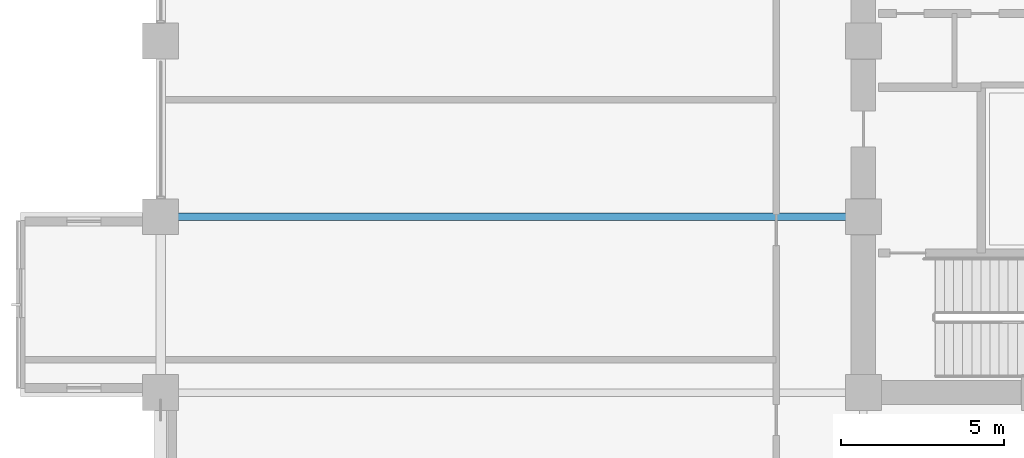
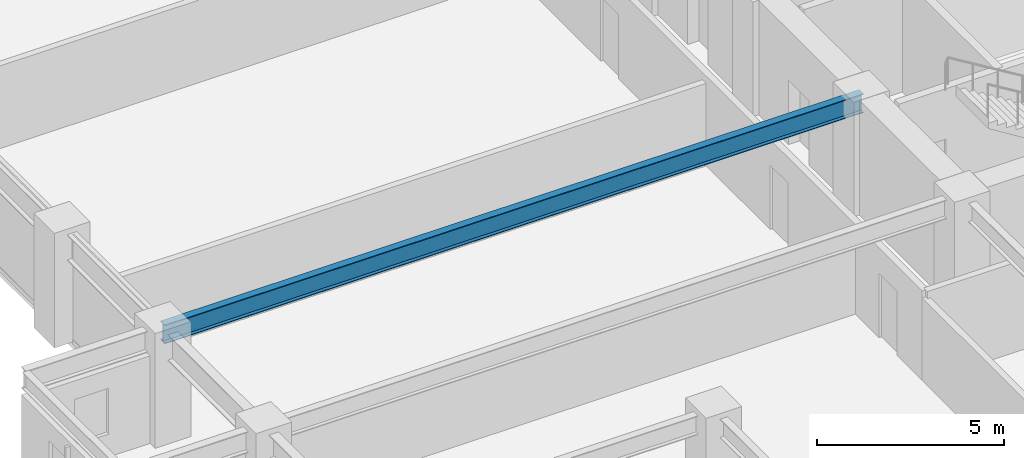
# One storey, part 6 of 29: 1 beam.
"""IFC4 building model written with IfcOpenShell, lengths in metres."""

from ifc_helpers import new_model, si_unit, direction, frame, origin, origin_2d, place, context, subcontext, project, spatial, i_section, extrude, material, material_profile, profile_set, type_object, element, save


model = new_model("IFC4")

# Units and contexts
model_context = context("Model", 3, precision=1e-05, world=origin(), true_north=direction((0.0, 1.0)))
body_context = subcontext(model_context, "Body", "Model", "MODEL_VIEW")
ifc_project = project(units=[si_unit("LENGTHUNIT", "METRE"), si_unit("AREAUNIT", "SQUARE_METRE"), si_unit("VOLUMEUNIT", "CUBIC_METRE"), si_unit("PLANEANGLEUNIT", "RADIAN"), si_unit("MASSUNIT", "GRAM", prefix="KILO")], contexts=[model_context])

# Site, building, storey
site_placement = place(None, origin())
site = spatial("IfcSite", under=ifc_project, at=site_placement, CompositionType="ELEMENT")
building_placement = place(site_placement, origin())
building = spatial("IfcBuilding", under=site, at=building_placement, Name="Surkhivell Harbour Commons", CompositionType="ELEMENT")
storey_placement = place(building_placement, frame((0.0, 0.0, 90.75)))
storey = spatial("IfcBuildingStorey", under=building, at=storey_placement, Name="L23", CompositionType="ELEMENT", Elevation=90.75)

# Beam
ifc_material = material(Name="Steel S355", Category="steel")
ifc_material_profile = material_profile(ifc_material, i_section(OverallWidth=0.22998046875, OverallDepth=0.616943359375, WebThickness=0.01318359375, FlangeThickness=0.022216796875, at=origin_2d()), Name="UB610x229x140")
ifc_profile_set = profile_set([ifc_material_profile], Name="Steel S355")
beam_type = type_object("IfcBeamType", Name="BM-GRD-610B", PredefinedType="BEAM", material=ifc_profile_set)
beam_placement = place(storey_placement, frame((-32.39990234375, -5.39990234375, 3.261474609375), z_axis=(1.0, 0.0, 0.0), x_axis=(0.0, 1.0, 0.0)))
element("IfcBeam", 1, at=beam_placement, inside=storey, type_object=beam_type, Name="L23 Cantilever Back-Span Girder (-32.4,-5.4)", PredefinedType="BEAM", context=body_context, shape_type="SweptSolid", body=[
    extrude(i_section(OverallWidth=0.22998046875, OverallDepth=0.616943359375, WebThickness=0.01318359375, FlangeThickness=0.022216796875, at=origin_2d()), origin(), (0.0, 0.0, 1.0), 21.599853515625),
])

save(model, "model.ifc")
